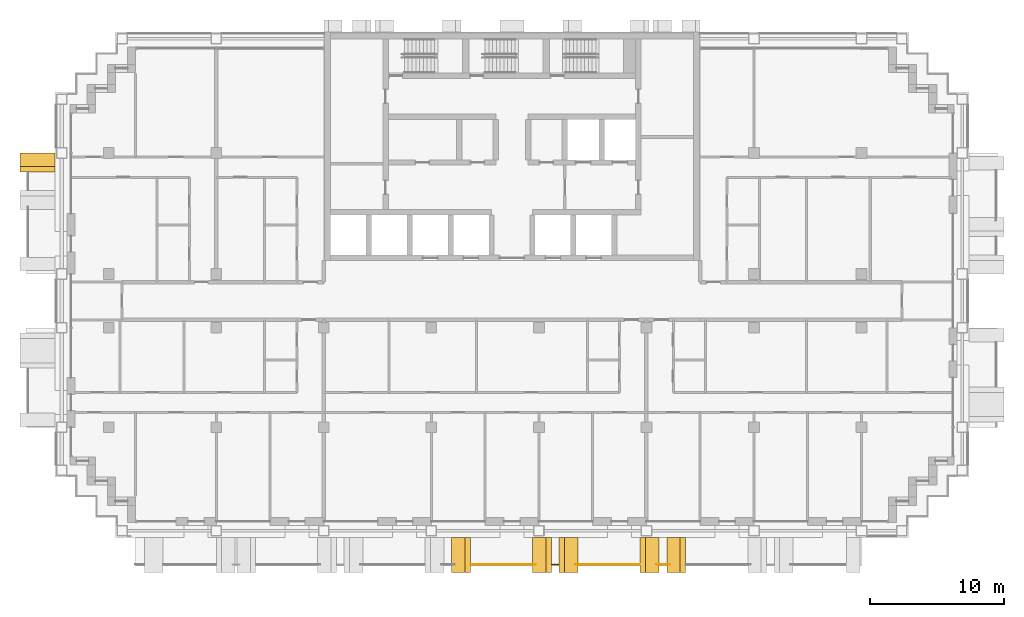
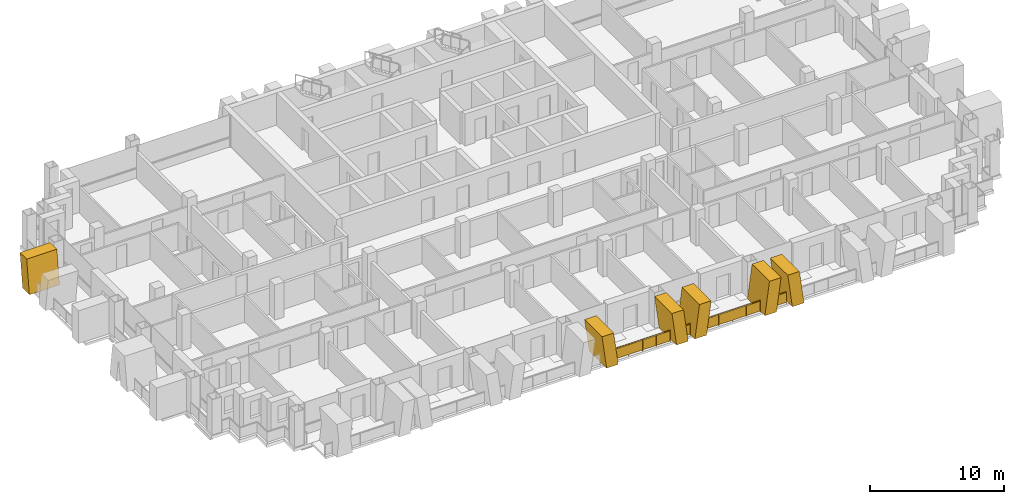
# One storey, part 14 of 18: 6 shading devices, 4 railings.
"""IFC4 building model written with IfcOpenShell, lengths in metres."""

import ifcopenshell
import ifcopenshell.guid

model = None  # the IFC model being written
_history = None  # IfcOwnerHistory: only IFC2X3 demands one
_inside = {}  # id of a spatial element -> (the spatial element, [elements in it])
_under = {}  # id of a project, library or spatial element -> (it, [spatial elements below it])
_declared = {}  # id of a project -> (the project, [libraries it declares])
_typed = {}  # id of a type object -> (the type object, [elements of that type])
_made_of = {}  # id of a material, layer set ... -> (it, [elements and type objects made of it])


def new_model(schema):
    """Start an empty IFC model of exactly this schema.

    Asked for "IFC4X3", IfcOpenShell would pick the latest addendum, in which some entities
    have other attributes; the version numbers below select the first issue.
    IFC2X3 requires an IfcOwnerHistory on every rooted entity: one is made here for all.
    """
    global model, _history
    if schema == "IFC4X3":
        model = ifcopenshell.file(schema_version=(4, 3, 0, 0))
    else:
        model = ifcopenshell.file(schema=schema)
    _inside.clear()
    _under.clear()
    _declared.clear()
    _typed.clear()
    _made_of.clear()
    _history = None
    if model.schema == "IFC2X3":
        org = make("IfcOrganization", Name="unknown")
        user = make(
            "IfcPersonAndOrganization",
            ThePerson=make("IfcPerson", FamilyName="unknown"),
            TheOrganization=org,
        )
        app = make(
            "IfcApplication",
            ApplicationDeveloper=org,
            Version="unknown",
            ApplicationFullName="unknown",
            ApplicationIdentifier="unknown",
        )
        _history = make(
            "IfcOwnerHistory",
            OwningUser=user,
            OwningApplication=app,
            ChangeAction="ADDED",
            CreationDate=0,
        )
    return model


def make(cls, **values):
    """One entity of the class cls with the attributes given. An attribute that is None is left unset."""
    return model.create_entity(
        cls, **{name: value for name, value in values.items() if value is not None}
    )


def rooted(cls, **values):
    """An entity with a GlobalId (a new one), such as an element, a storey or a relation."""
    return make(cls, GlobalId=ifcopenshell.guid.new(), OwnerHistory=_history, **values)


def si_unit(unit_type, name, prefix=None):
    """IfcSIUnit, for example si_unit("LENGTHUNIT", "METRE", prefix="MILLI")."""
    return make("IfcSIUnit", UnitType=unit_type, Prefix=prefix, Name=name)


def assignment(units):
    """IfcUnitAssignment: the units of a project."""
    return None if units is None else make("IfcUnitAssignment", Units=units)


def point(xyz):
    """IfcCartesianPoint."""
    return None if xyz is None else make("IfcCartesianPoint", Coordinates=xyz)


def direction(xyz):
    """IfcDirection."""
    return None if xyz is None else make("IfcDirection", DirectionRatios=xyz)


def frame(location, z_axis=None, x_axis=None):
    """IfcAxis2Placement3D, a coordinate frame: its origin and axes. An axis left out is left unset."""
    return make(
        "IfcAxis2Placement3D",
        Location=point(location),
        Axis=direction(z_axis),
        RefDirection=direction(x_axis),
    )


def frame_2d(location, x_axis=None):
    """IfcAxis2Placement2D, a coordinate frame in the plane: its origin and x axis."""
    return make(
        "IfcAxis2Placement2D", Location=point(location), RefDirection=direction(x_axis)
    )


def origin():
    """The frame at (0, 0, 0) with its axes left unset."""
    return frame((0.0, 0.0, 0.0))


def origin_2d():
    """The frame at (0, 0) in the plane with its x axis left unset."""
    return frame_2d((0.0, 0.0))


def place(relative_to, where):
    """IfcLocalPlacement: puts the frame where relative to a parent placement (None: the world)."""
    return make(
        "IfcLocalPlacement", PlacementRelTo=relative_to, RelativePlacement=where
    )


def context(
    kind, dimensions, precision=None, world=None, true_north=None, identifier=None
):
    """IfcGeometricRepresentationContext, for example the 3D "Model" context."""
    return make(
        "IfcGeometricRepresentationContext",
        ContextIdentifier=identifier,
        ContextType=kind,
        CoordinateSpaceDimension=dimensions,
        Precision=precision,
        WorldCoordinateSystem=world,
        TrueNorth=true_north,
    )


def subcontext(parent, identifier, kind, view, scale=None):
    """IfcGeometricRepresentationSubContext, for example "Body" below "Model"."""
    return make(
        "IfcGeometricRepresentationSubContext",
        ContextIdentifier=identifier,
        ContextType=kind,
        ParentContext=parent,
        TargetScale=scale,
        TargetView=view,
    )


def project(units=None, contexts=None):
    """IfcProject with its units and contexts."""
    return rooted(
        "IfcProject",
        Name="project",
        RepresentationContexts=contexts,
        UnitsInContext=assignment(units),
    )


def spatial(cls, under=None, at=None, **own):
    """A site, building, storey or space (cls), placed at a placement, below another one or the project."""
    s = rooted(cls, ObjectPlacement=at, **own)
    if under is not None:
        _under.setdefault(under.id(), (under, []))[1].append(s)
    return s


def polyline(points):
    """IfcPolyline through the points."""
    return make("IfcPolyline", Points=[point(p) for p in points])


def profile(cls, at=None, kind="AREA", **sizes):
    """A parametric profile (cls). Its sizes go by their IFC names, for example OverallWidth=200.0."""
    return make(cls, ProfileType=kind, Position=at, **sizes)


def rectangle(**sizes):
    """IfcRectangleProfileDef."""
    return profile("IfcRectangleProfileDef", **sizes)


def circle(**sizes):
    """IfcCircleProfileDef."""
    return profile("IfcCircleProfileDef", **sizes)


def outline(outer, holes=None, kind="AREA"):
    """IfcArbitraryClosedProfileDef: a profile drawn as a closed curve; with holes, ...WithVoids."""
    if holes is None:
        return make("IfcArbitraryClosedProfileDef", ProfileType=kind, OuterCurve=outer)
    return make(
        "IfcArbitraryProfileDefWithVoids",
        ProfileType=kind,
        OuterCurve=outer,
        InnerCurves=holes,
    )


def extrude(swept, where, along, depth):
    """IfcExtrudedAreaSolid: the profile swept, set in the frame where, extruded along a direction by depth."""
    return make(
        "IfcExtrudedAreaSolid",
        SweptArea=swept,
        Position=where,
        ExtrudedDirection=direction(along),
        Depth=depth,
    )


def shape(context_of_items, identifier, shape_type, items):
    """IfcShapeRepresentation: the items that make up one representation, for example the "Body"."""
    return make(
        "IfcShapeRepresentation",
        ContextOfItems=context_of_items,
        RepresentationIdentifier=identifier,
        RepresentationType=shape_type,
        Items=items,
    )


def material(Name=None, Category=None):
    """IfcMaterial."""
    return make("IfcMaterial", Name=Name, Category=Category)


def layer(
    of_material, thickness, ventilated=None, Name=None, Category=None, Priority=None
):
    """IfcMaterialLayer: one layer of a wall or slab, of a material (None: an air gap)."""
    return make(
        "IfcMaterialLayer",
        Material=of_material,
        LayerThickness=thickness,
        IsVentilated=ventilated,
        Name=Name,
        Category=Category,
        Priority=Priority,
    )


def layer_set(layers, Name=None):
    """IfcMaterialLayerSet."""
    return make("IfcMaterialLayerSet", MaterialLayers=layers, LayerSetName=Name)


def made_of(thing, what):
    """Note that an element or type object is made of a material, layer set ...; save() writes the relation."""
    if what is not None:
        _made_of.setdefault(what.id(), (what, []))[1].append(thing)
    return thing


def type_object(cls, material=None, **own):
    """A type object (cls), such as IfcWallType, which elements share."""
    return made_of(rooted(cls, **own), material)


def element(
    cls,
    number,
    at=None,
    inside=None,
    cuts=None,
    type_object=None,
    material=None,
    context=None,
    identifier="Body",
    shape_type=None,
    held_by="IfcProductDefinitionShape",
    body=None,
    shapes=None,
    **own,
):
    """One element of the class cls, such as IfcWall. Its Tag is "e" and its number.

    at: its placement. inside: the storey or other place that contains it. cuts: it is an
    opening in that element (IfcRelVoidsElement). A single representation is given by context,
    identifier, shape_type and body (its items); several are given by shapes. held_by: the class
    of the entity that holds the representations. save() writes the other relations.
    """
    e = rooted(cls, Tag="e%d" % number, ObjectPlacement=at, **own)
    if body is not None:
        shapes = [shape(context, identifier, shape_type, body)]
    if shapes is not None:
        e.Representation = make(held_by, Representations=shapes)
    if inside is not None:
        _inside.setdefault(inside.id(), (inside, []))[1].append(e)
    if cuts is not None:
        rooted(
            "IfcRelVoidsElement", RelatingBuildingElement=cuts, RelatedOpeningElement=e
        )
    if type_object is not None:
        _typed.setdefault(type_object.id(), (type_object, []))[1].append(e)
    return made_of(e, material)


def aggregate(whole, parts):
    """IfcRelAggregates: a whole, such as a stair, and the parts it consists of."""
    return rooted("IfcRelAggregates", RelatingObject=whole, RelatedObjects=parts)


def save(model, path):
    """Write the relations noted so far, then the file.

    IfcRelAggregates (storeys below a building ...), IfcRelContainedInSpatialStructure (elements
    in a storey), IfcRelDefinesByType, IfcRelAssociatesMaterial and IfcRelDeclares: one each for
    every whole, place, type object, material and project.
    """
    for whole, parts in _under.values():
        aggregate(whole, parts)
    for where, things in _inside.values():
        rooted(
            "IfcRelContainedInSpatialStructure",
            RelatedElements=things,
            RelatingStructure=where,
        )
    for kind, things in _typed.values():
        rooted("IfcRelDefinesByType", RelatedObjects=things, RelatingType=kind)
    for what, things in _made_of.values():
        rooted("IfcRelAssociatesMaterial", RelatedObjects=things, RelatingMaterial=what)
    for by, libraries in _declared.values():
        rooted("IfcRelDeclares", RelatingContext=by, RelatedDefinitions=libraries)
    model.write(path)


model = new_model("IFC4")

# Units and contexts
model_context = context("Model", 3, precision=1e-05, world=origin(), true_north=direction((0.0, 1.0)))
body_context = subcontext(model_context, "Body", "Model", "MODEL_VIEW")
ifc_project = project(units=[si_unit("LENGTHUNIT", "METRE"), si_unit("AREAUNIT", "SQUARE_METRE"), si_unit("VOLUMEUNIT", "CUBIC_METRE"), si_unit("PLANEANGLEUNIT", "RADIAN"), si_unit("MASSUNIT", "GRAM", prefix="KILO")], contexts=[model_context])

# Site, building, storey
site_placement = place(None, origin())
site = spatial("IfcSite", under=ifc_project, at=site_placement, CompositionType="ELEMENT")
building_placement = place(site_placement, origin())
building = spatial("IfcBuilding", under=site, at=building_placement, Name="Vidyagriha Tower", CompositionType="ELEMENT")
storey_placement = place(building_placement, frame((0.0, 0.0, 142.199951171875)))
storey = spatial("IfcBuildingStorey", under=building, at=storey_placement, Name="L37", CompositionType="ELEMENT", Elevation=142.199951171875)

# Railings
ifc_material_1 = material(Name="Steel ASTM A500 Grade C black painted", Category="steel")
railing_type = type_object("IfcRailingType", Name="Balcony guard 1100", PredefinedType="BALUSTRADE", material=ifc_material_1)
railing_1_placement = place(storey_placement, frame((-3.0400390625, -19.60009765625, 0.0)))
element("IfcRailing", 1, at=railing_1_placement, inside=storey, type_object=railing_type, Name="Balcony guard L37 R23.1-8", PredefinedType="BALUSTRADE", context=body_context, shape_type="SweptSolid", body=[
    extrude(circle(Radius=0.02490234375, at=origin_2d()), frame((0.0, 0.0, 1.0751953125), z_axis=(1.0, 0.0, 0.0), x_axis=(0.0, 1.0, 0.0)), (0.0, 0.0, 1.0), 4.773681640625),
    extrude(circle(Radius=0.02001953125, at=origin_2d()), origin(), (0.0, 0.0, 1.0), 1.050048828125),
    extrude(circle(Radius=0.02001953125, at=origin_2d()), frame((1.193359375, 0.0, 0.0)), (0.0, 0.0, 1.0), 1.050048828125),
    extrude(circle(Radius=0.02001953125, at=origin_2d()), frame((2.38671875, 0.0, 0.0)), (0.0, 0.0, 1.0), 1.050048828125),
    extrude(circle(Radius=0.02001953125, at=origin_2d()), frame((3.580322265625, 0.0, 0.0)), (0.0, 0.0, 1.0), 1.050048828125),
    extrude(circle(Radius=0.02001953125, at=origin_2d()), frame((4.773681640625, 0.0, 0.0)), (0.0, 0.0, 1.0), 1.050048828125),
    extrude(rectangle(XDim=0.010009765625, YDim=0.900146484375, at=origin_2d()), frame((0.0, 0.0, 0.550048828125), z_axis=(1.0, 0.0, 0.0), x_axis=(0.0, 1.0, 0.0)), (0.0, 0.0, 1.0), 4.773681640625),
])
railing_2_placement = place(storey_placement, frame((2.985107421875, -19.60009765625, 0.0)))
element("IfcRailing", 2, at=railing_2_placement, inside=storey, type_object=railing_type, Name="Balcony guard L37 R23.1-9", PredefinedType="BALUSTRADE", context=body_context, shape_type="SweptSolid", body=[
    extrude(circle(Radius=0.02490234375, at=origin_2d()), frame((0.0, 0.0, 1.0751953125), z_axis=(1.0, 0.0, 0.0), x_axis=(0.0, 1.0, 0.0)), (0.0, 0.0, 1.0), 0.47998046875),
    extrude(circle(Radius=0.02001953125, at=origin_2d()), origin(), (0.0, 0.0, 1.0), 1.050048828125),
    extrude(circle(Radius=0.02001953125, at=origin_2d()), frame((0.47998046875, 0.0, 0.0)), (0.0, 0.0, 1.0), 1.050048828125),
    extrude(rectangle(XDim=0.010009765625, YDim=0.900146484375, at=origin_2d()), frame((0.0, 0.0, 0.550048828125), z_axis=(1.0, 0.0, 0.0), x_axis=(0.0, 1.0, 0.0)), (0.0, 0.0, 1.0), 0.47998046875),
])
railing_3_placement = place(storey_placement, frame((4.71630859375, -19.60009765625, 0.0)))
element("IfcRailing", 3, at=railing_3_placement, inside=storey, type_object=railing_type, Name="Balcony guard L37 R23.1-10", PredefinedType="BALUSTRADE", context=body_context, shape_type="SweptSolid", body=[
    extrude(circle(Radius=0.02490234375, at=origin_2d()), frame((0.0, 0.0, 1.0751953125), z_axis=(1.0, 0.0, 0.0), x_axis=(0.0, 1.0, 0.0)), (0.0, 0.0, 1.0), 4.773681640625),
    extrude(circle(Radius=0.02001953125, at=origin_2d()), origin(), (0.0, 0.0, 1.0), 1.050048828125),
    extrude(circle(Radius=0.02001953125, at=origin_2d()), frame((1.193359375, 0.0, 0.0)), (0.0, 0.0, 1.0), 1.050048828125),
    extrude(circle(Radius=0.02001953125, at=origin_2d()), frame((2.38671875, 0.0, 0.0)), (0.0, 0.0, 1.0), 1.050048828125),
    extrude(circle(Radius=0.02001953125, at=origin_2d()), frame((3.580322265625, 0.0, 0.0)), (0.0, 0.0, 1.0), 1.050048828125),
    extrude(circle(Radius=0.02001953125, at=origin_2d()), frame((4.773681640625, 0.0, 0.0)), (0.0, 0.0, 1.0), 1.050048828125),
    extrude(rectangle(XDim=0.010009765625, YDim=0.900146484375, at=origin_2d()), frame((0.0, 0.0, 0.550048828125), z_axis=(1.0, 0.0, 0.0), x_axis=(0.0, 1.0, 0.0)), (0.0, 0.0, 1.0), 4.773681640625),
])
railing_4_placement = place(storey_placement, frame((10.741455078125, -19.60009765625, 0.0)))
element("IfcRailing", 4, at=railing_4_placement, inside=storey, type_object=railing_type, Name="Balcony guard L37 R23.1-11", PredefinedType="BALUSTRADE", context=body_context, shape_type="SweptSolid", body=[
    extrude(circle(Radius=0.02490234375, at=origin_2d()), frame((0.0, 0.0, 1.0751953125), z_axis=(1.0, 0.0, 0.0), x_axis=(0.0, 1.0, 0.0)), (0.0, 0.0, 1.0), 0.967041015625),
    extrude(circle(Radius=0.02001953125, at=origin_2d()), origin(), (0.0, 0.0, 1.0), 1.050048828125),
    extrude(circle(Radius=0.02001953125, at=origin_2d()), frame((0.967041015625, 0.0, 0.0)), (0.0, 0.0, 1.0), 1.050048828125),
    extrude(rectangle(XDim=0.010009765625, YDim=0.900146484375, at=origin_2d()), frame((0.0, 0.0, 0.550048828125), z_axis=(1.0, 0.0, 0.0), x_axis=(0.0, 1.0, 0.0)), (0.0, 0.0, 1.0), 0.967041015625),
])

# Shading devices
ifc_material_2 = material(Name="Precast concrete C40/50 with buff brick facing", Category="concrete")
ifc_layer = layer(ifc_material_2, 1.0)
ifc_layer_set = layer_set([ifc_layer], Name="Precast concrete C40/50 with buff brick facing")
shading_device_type = type_object("IfcShadingDeviceType", Name="Brick-faced blade fin arm leaning 8 degrees", PredefinedType="USERDEFINED", material=ifc_layer_set)
shading_device_1_placement = place(storey_placement, frame((-35.300048828125, 11.0, 0.0), z_axis=(0.0, 0.0, 1.0), x_axis=(0.0, -1.0, 0.0)))
element("IfcShadingDevice", 5, at=shading_device_1_placement, inside=storey, type_object=shading_device_type, Name="Leaning blade fin L37 R16.300b", ObjectType="BLADE FIN", PredefinedType="USERDEFINED", context=body_context, shape_type="SweptSolid", body=[
    extrude(outline(polyline([(0.39990234375, 0.0), (1.39990234375, 0.0), (1.0, 3.0), (0.0, 3.0), (0.39990234375, 0.0)])), frame((0.0, 1.300048828125, 0.0), z_axis=(0.0, -1.0, 0.0), x_axis=(1.0, 0.0, 0.0)), (0.0, 0.0, 1.0), 2.60009765625),
])
shading_device_2_placement = place(storey_placement, frame((-4.485107421875, -18.89990234375, 0.0)))
element("IfcShadingDevice", 6, at=shading_device_2_placement, inside=storey, type_object=shading_device_type, Name="Leaning blade fin L37 R23.2200a", ObjectType="BLADE FIN", PredefinedType="USERDEFINED", context=body_context, shape_type="SweptSolid", body=[
    extrude(outline(polyline([(0.39501953125, 0.0), (1.39501953125, 0.0), (1.0, 3.0), (0.0, 3.0), (0.39501953125, 0.0)])), frame((0.0, 1.300048828125, 0.0), z_axis=(0.0, -1.0, 0.0), x_axis=(1.0, 0.0, 0.0)), (0.0, 0.0, 1.0), 2.60009765625),
])
shading_device_3_placement = place(storey_placement, frame((3.514892578125, -18.89990234375, 0.0)))
element("IfcShadingDevice", 7, at=shading_device_3_placement, inside=storey, type_object=shading_device_type, Name="Leaning blade fin L37 R23.3000a", ObjectType="BLADE FIN", PredefinedType="USERDEFINED", context=body_context, shape_type="SweptSolid", body=[
    extrude(outline(polyline([(0.0, 0.0), (1.0, 0.0), (1.39501953125, 3.0), (0.39501953125, 3.0), (0.0, 0.0)])), frame((0.0, 1.300048828125, 0.0), z_axis=(0.0, -1.0, 0.0), x_axis=(1.0, 0.0, 0.0)), (0.0, 0.0, 1.0), 2.60009765625),
])
for number, where, name in (
    (8, (1.5400390625, -18.89990234375, 0.0), "Leaning blade fin L37 R23.3000b"),
    (9, (11.514892578125, -18.89990234375, 0.0), "Leaning blade fin L37 R23.3800a"),
):
    element("IfcShadingDevice", number, at=place(storey_placement, frame(where)), inside=storey, type_object=shading_device_type, Name=name, ObjectType="BLADE FIN", PredefinedType="USERDEFINED", context=body_context, shape_type="SweptSolid", body=[
        extrude(outline(polyline([(0.39501953125, 0.0), (1.39501953125, 0.0), (1.0, 3.0), (0.0, 3.0), (0.39501953125, 0.0)])), frame((0.0, 1.300048828125, 0.0), z_axis=(0.0, -1.0, 0.0), x_axis=(1.0, 0.0, 0.0)), (0.0, 0.0, 1.0), 2.60009765625),
    ])
shading_device_4_placement = place(storey_placement, frame((9.5400390625, -18.89990234375, 0.0)))
element("IfcShadingDevice", 10, at=shading_device_4_placement, inside=storey, type_object=shading_device_type, Name="Leaning blade fin L37 R23.3800b", ObjectType="BLADE FIN", PredefinedType="USERDEFINED", context=body_context, shape_type="SweptSolid", body=[
    extrude(outline(polyline([(0.0, 0.0), (1.0, 0.0), (1.39501953125, 3.0), (0.39501953125, 3.0), (0.0, 0.0)])), frame((0.0, 1.300048828125, 0.0), z_axis=(0.0, -1.0, 0.0), x_axis=(1.0, 0.0, 0.0)), (0.0, 0.0, 1.0), 2.60009765625),
])

save(model, "model.ifc")
